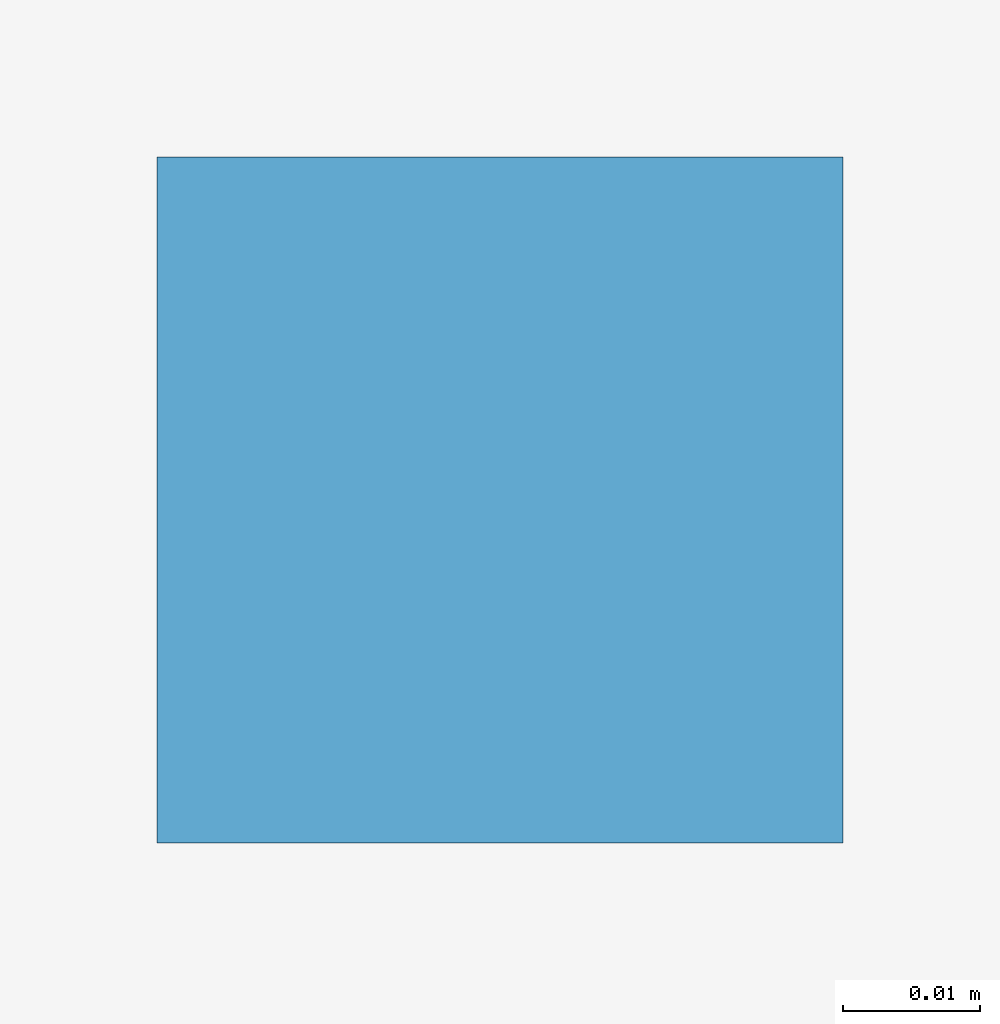
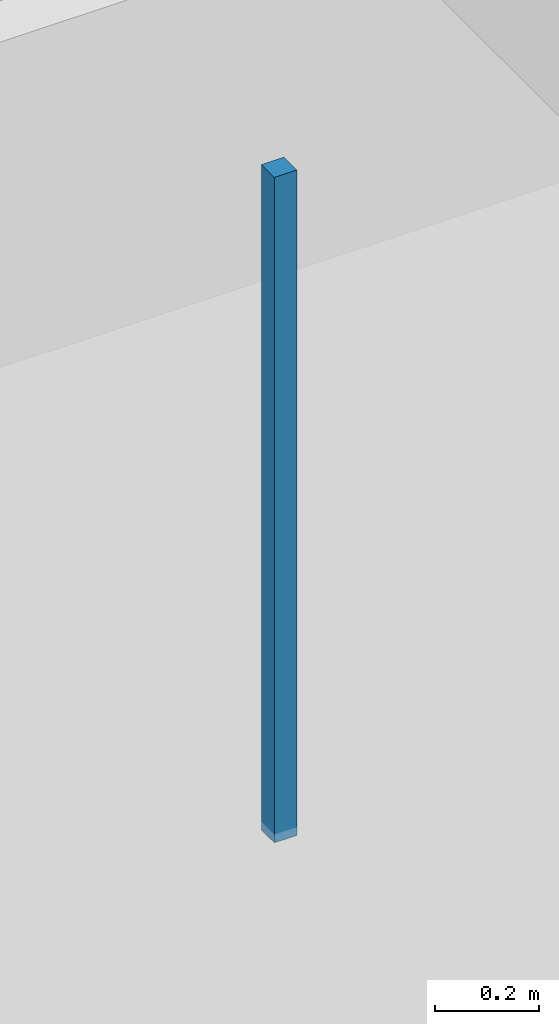
# One storey, part 47 of 56: 1 discrete accessory.
"""IFC4 building model written with IfcOpenShell, lengths in metres."""

from ifc_helpers import new_model, si_unit, direction, frame, origin, origin_2d, place, context, subcontext, project, spatial, rectangle, extrude, material, type_object, element, save


model = new_model("IFC4")

# Units and contexts
model_context = context("Model", 3, precision=1e-05, world=origin(), true_north=direction((0.0, 1.0)))
body_context = subcontext(model_context, "Body", "Model", "MODEL_VIEW")
ifc_project = project(units=[si_unit("LENGTHUNIT", "METRE"), si_unit("AREAUNIT", "SQUARE_METRE"), si_unit("VOLUMEUNIT", "CUBIC_METRE"), si_unit("PLANEANGLEUNIT", "RADIAN"), si_unit("MASSUNIT", "GRAM", prefix="KILO")], contexts=[model_context])

# Site, building, storey
site_placement = place(None, origin())
site = spatial("IfcSite", under=ifc_project, at=site_placement, CompositionType="ELEMENT")
building_placement = place(site_placement, origin())
building = spatial("IfcBuilding", under=site, at=building_placement, Name="Kazehaya Institute of Natural Sciences", CompositionType="ELEMENT")
storey_placement = place(building_placement, frame((0.0, 0.0, 24.300048828125)))
storey = spatial("IfcBuildingStorey", under=building, at=storey_placement, Name="L05", CompositionType="ELEMENT", Elevation=24.300048828125)

# Discrete accessory
ifc_material = material(Name="Structural steel SN490B", Category="steel")
discrete_accessory_type = type_object("IfcDiscreteAccessoryType", Name="ACC-CLG-HGR", PredefinedType="BRACKET", material=ifc_material)
discrete_accessory_placement = place(storey_placement, frame((96.300048828125, 88.675048828125, 2.8525390625), z_axis=(0.0, 0.0, 1.0), x_axis=(1.0, 0.0, 0.0)))
element("IfcDiscreteAccessory", 1, at=discrete_accessory_placement, inside=storey, type_object=discrete_accessory_type, Name="L05 ceiling suspension hanger 55", PredefinedType="BRACKET", context=body_context, shape_type="SweptSolid", body=[
    extrude(rectangle(XDim=0.050048828125, YDim=0.050048828125, at=origin_2d()), origin(), (0.0, 0.0, 1.0), 1.5673828125),
])

save(model, "model.ifc")
